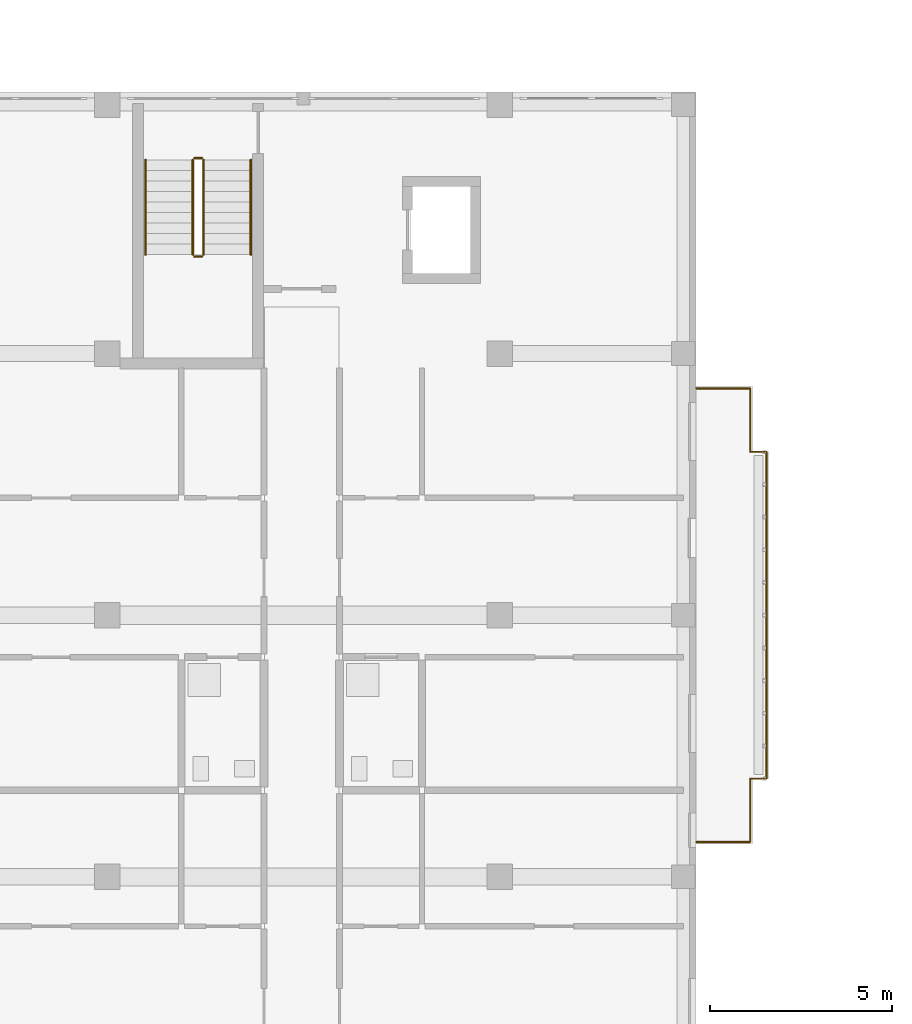
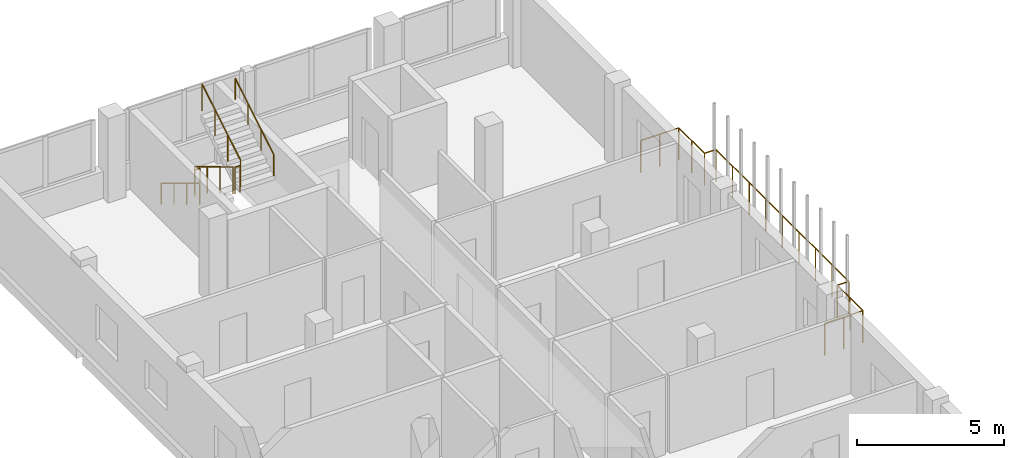
# One storey, part 61 of 73: 7 railings.
"""IFC4 building model written with IfcOpenShell, lengths in metres."""

from ifc_helpers import new_model, si_unit, derived_unit, direction, frame, origin, origin_2d, place, context, subcontext, project, spatial, circle, extrude, material, type_object, element, save


model = new_model("IFC4")

# Units and contexts
model_context = context("Model", 3, precision=1e-05, world=origin(), true_north=direction((0.0, 1.0)))
body_context = subcontext(model_context, "Body", "Model", "MODEL_VIEW")
ifc_project = project(units=[si_unit("LENGTHUNIT", "METRE"), si_unit("AREAUNIT", "SQUARE_METRE"), si_unit("VOLUMEUNIT", "CUBIC_METRE"), si_unit("PLANEANGLEUNIT", "RADIAN"), si_unit("MASSUNIT", "GRAM", prefix="KILO"), derived_unit("THERMALTRANSMITTANCEUNIT", [(si_unit("MASSUNIT", "GRAM", prefix="KILO"), 1), (si_unit("TIMEUNIT", "SECOND"), -3), (si_unit("THERMODYNAMICTEMPERATUREUNIT", "KELVIN"), -1)])], contexts=[model_context])

# Site, building, storey
site_placement = place(None, origin())
site = spatial("IfcSite", under=ifc_project, at=site_placement, CompositionType="ELEMENT")
building_placement = place(site_placement, origin())
building = spatial("IfcBuilding", under=site, at=building_placement, Name="Ochrekiln Boulevard Commons", CompositionType="ELEMENT")
storey_placement = place(building_placement, frame((0.0, 0.0, 8.574951171875)))
storey = spatial("IfcBuildingStorey", under=building, at=storey_placement, Name="L02", CompositionType="ELEMENT", Elevation=8.574951171875)

# Railings
ifc_material_1 = material(Name="Bronze-anodized extruded aluminium 6063-T6", Category="aluminium")
railing_type_1 = type_object("IfcRailingType", Name="RLG-BAL-1350", PredefinedType="BALUSTRADE", material=ifc_material_1)
railing_1_placement = place(storey_placement, frame((21.60009765625, 29.760009765625, 0.0)))
element("IfcRailing", 1, at=railing_1_placement, inside=storey, type_object=railing_type_1, Name="Block D L02 Balcony Guard Balustrade 2", PredefinedType="BALUSTRADE", context=body_context, shape_type="SweptSolid", body=[
    extrude(circle(Radius=0.02392578125, at=origin_2d()), frame((0.0, 0.0, 1.326171875), z_axis=(1.0, 0.0, 0.0), x_axis=(0.0, 1.0, 0.0)), (0.0, 0.0, 1.0), 1.489990234375),
    extrude(circle(Radius=0.02392578125, at=origin_2d()), frame((1.489990234375, 0.0, 1.326171875), z_axis=(0.0, 1.0, 0.0), x_axis=(-1.0, 0.0, 0.0)), (0.0, 0.0, 1.0), 1.739990234375),
    extrude(circle(Radius=0.02392578125, at=origin_2d()), frame((1.489990234375, 1.739990234375, 1.326171875), z_axis=(1.0, 0.0, 0.0), x_axis=(0.0, 1.0, 0.0)), (0.0, 0.0, 1.0), 0.449951171875),
    extrude(circle(Radius=0.02392578125, at=origin_2d()), frame((1.93994140625, 1.739990234375, 1.326171875), z_axis=(0.0, 1.0, 0.0), x_axis=(-1.0, 0.0, 0.0)), (0.0, 0.0, 1.0), 9.0),
    extrude(circle(Radius=0.02392578125, at=origin_2d()), frame((1.93994140625, 10.739990234375, 1.326171875), z_axis=(-1.0, 0.0, 0.0), x_axis=(0.0, -1.0, 0.0)), (0.0, 0.0, 1.0), 0.449951171875),
    extrude(circle(Radius=0.02392578125, at=origin_2d()), frame((1.489990234375, 10.739990234375, 1.326171875), z_axis=(0.0, 1.0, 0.0), x_axis=(-1.0, 0.0, 0.0)), (0.0, 0.0, 1.0), 1.739990234375),
    extrude(circle(Radius=0.02392578125, at=origin_2d()), frame((1.489990234375, 12.47998046875, 1.326171875), z_axis=(-1.0, 0.0, 0.0), x_axis=(0.0, -1.0, 0.0)), (0.0, 0.0, 1.0), 1.489990234375),
    extrude(circle(Radius=0.02099609375, at=origin_2d()), origin(), (0.0, 0.0, 1.0), 1.302001953125),
    extrude(circle(Radius=0.02099609375, at=origin_2d()), frame((0.7451171875, 0.0, 0.0)), (0.0, 0.0, 1.0), 1.302001953125),
    extrude(circle(Radius=0.02099609375, at=origin_2d()), frame((1.489990234375, 0.0, 0.0)), (0.0, 0.0, 1.0), 1.302001953125),
    extrude(circle(Radius=0.02099609375, at=origin_2d()), frame((1.489990234375, 0.8701171875, 0.0)), (0.0, 0.0, 1.0), 1.302001953125),
    extrude(circle(Radius=0.02099609375, at=origin_2d()), frame((1.489990234375, 1.739990234375, 0.0)), (0.0, 0.0, 1.0), 1.302001953125),
    extrude(circle(Radius=0.02099609375, at=origin_2d()), frame((1.93994140625, 1.739990234375, 0.0)), (0.0, 0.0, 1.0), 1.302001953125),
    extrude(circle(Radius=0.02099609375, at=origin_2d()), frame((1.93994140625, 2.864990234375, 0.0)), (0.0, 0.0, 1.0), 1.302001953125),
    extrude(circle(Radius=0.02099609375, at=origin_2d()), frame((1.93994140625, 3.989990234375, 0.0)), (0.0, 0.0, 1.0), 1.302001953125),
    extrude(circle(Radius=0.02099609375, at=origin_2d()), frame((1.93994140625, 5.114990234375, 0.0)), (0.0, 0.0, 1.0), 1.302001953125),
    extrude(circle(Radius=0.02099609375, at=origin_2d()), frame((1.93994140625, 6.239990234375, 0.0)), (0.0, 0.0, 1.0), 1.302001953125),
    extrude(circle(Radius=0.02099609375, at=origin_2d()), frame((1.93994140625, 7.364990234375, 0.0)), (0.0, 0.0, 1.0), 1.302001953125),
    extrude(circle(Radius=0.02099609375, at=origin_2d()), frame((1.93994140625, 8.489990234375, 0.0)), (0.0, 0.0, 1.0), 1.302001953125),
    extrude(circle(Radius=0.02099609375, at=origin_2d()), frame((1.93994140625, 9.614990234375, 0.0)), (0.0, 0.0, 1.0), 1.302001953125),
    extrude(circle(Radius=0.02099609375, at=origin_2d()), frame((1.93994140625, 10.739990234375, 0.0)), (0.0, 0.0, 1.0), 1.302001953125),
    extrude(circle(Radius=0.02099609375, at=origin_2d()), frame((1.489990234375, 10.739990234375, 0.0)), (0.0, 0.0, 1.0), 1.302001953125),
    extrude(circle(Radius=0.02099609375, at=origin_2d()), frame((1.489990234375, 11.60986328125, 0.0)), (0.0, 0.0, 1.0), 1.302001953125),
    extrude(circle(Radius=0.02099609375, at=origin_2d()), frame((1.489990234375, 12.47998046875, 0.0)), (0.0, 0.0, 1.0), 1.302001953125),
    extrude(circle(Radius=0.02099609375, at=origin_2d()), frame((0.7451171875, 12.47998046875, 0.0)), (0.0, 0.0, 1.0), 1.302001953125),
    extrude(circle(Radius=0.02099609375, at=origin_2d()), frame((0.0, 12.47998046875, 0.0)), (0.0, 0.0, 1.0), 1.302001953125),
])
ifc_material_2 = material(Name="Brushed stainless steel 316 tubular railing", Category="steel")
railing_type_2 = type_object("IfcRailingType", Name="RLG-HDR-900", PredefinedType="HANDRAIL", material=ifc_material_2)
railing_2_placement = place(storey_placement, frame((6.449951171875, 48.530029296875, 0.175048828125)))
element("IfcRailing", 2, at=railing_2_placement, inside=storey, type_object=railing_type_2, Name="L02 ST-D2 stair handrail 1", PredefinedType="HANDRAIL", context=body_context, shape_type="SweptSolid", body=[
    extrude(circle(Radius=0.02392578125, at=origin_2d()), frame((0.0, 0.0, 0.8759765625), z_axis=(0.0, -0.856204152608, 0.516637638057), x_axis=(1.0, 0.0, 0.0)), (0.0, 0.0, 1.0), 3.048583984375),
    extrude(circle(Radius=0.02099609375, at=origin_2d()), origin(), (0.0, 0.0, 1.0), 0.851806640625),
    extrude(circle(Radius=0.02099609375, at=origin_2d()), frame((0.0, -0.8701171875, 0.52490234375)), (0.0, 0.0, 1.0), 0.851806640625),
    extrude(circle(Radius=0.02099609375, at=origin_2d()), frame((0.0, -1.739990234375, 1.050048828125)), (0.0, 0.0, 1.0), 0.851806640625),
    extrude(circle(Radius=0.02099609375, at=origin_2d()), frame((0.0, -2.610107421875, 1.574951171875)), (0.0, 0.0, 1.0), 0.851806640625),
])
railing_3_placement = place(storey_placement, frame((9.35009765625, 45.919921875, 1.925048828125)))
element("IfcRailing", 3, at=railing_3_placement, inside=storey, type_object=railing_type_2, Name="L02 ST-D2 stair handrail 2", PredefinedType="HANDRAIL", context=body_context, shape_type="SweptSolid", body=[
    extrude(circle(Radius=0.02392578125, at=origin_2d()), frame((0.0, 0.0, 0.8759765625), z_axis=(0.0, 0.856204152608, 0.516637638057), x_axis=(-1.0, 0.0, 0.0)), (0.0, 0.0, 1.0), 3.048583984375),
    extrude(circle(Radius=0.02099609375, at=origin_2d()), origin(), (0.0, 0.0, 1.0), 0.851806640625),
    extrude(circle(Radius=0.02099609375, at=origin_2d()), frame((0.0, 0.8701171875, 0.52490234375)), (0.0, 0.0, 1.0), 0.851806640625),
    extrude(circle(Radius=0.02099609375, at=origin_2d()), frame((0.0, 1.739990234375, 1.050048828125)), (0.0, 0.0, 1.0), 0.851806640625),
    extrude(circle(Radius=0.02099609375, at=origin_2d()), frame((0.0, 2.610107421875, 1.574951171875)), (0.0, 0.0, 1.0), 0.851806640625),
])
railing_type_3 = type_object("IfcRailingType", Name="RLG-STR-1120", PredefinedType="BALUSTRADE", material=ifc_material_2)
railing_4_placement = place(storey_placement, frame((7.75, 48.530029296875, 0.175048828125)))
element("IfcRailing", 4, at=railing_4_placement, inside=storey, type_object=railing_type_3, Name="L02 ST-D2 stair guard 1", PredefinedType="BALUSTRADE", context=body_context, shape_type="SweptSolid", body=[
    extrude(circle(Radius=0.02392578125, at=origin_2d()), frame((0.0, 0.0, 1.09619140625), z_axis=(0.0, -0.856204152608, 0.516637638057), x_axis=(1.0, 0.0, 0.0)), (0.0, 0.0, 1.0), 3.048583984375),
    extrude(circle(Radius=0.02099609375, at=origin_2d()), origin(), (0.0, 0.0, 1.0), 1.072021484375),
    extrude(circle(Radius=0.02099609375, at=origin_2d()), frame((0.0, -0.8701171875, 0.52490234375)), (0.0, 0.0, 1.0), 1.072021484375),
    extrude(circle(Radius=0.02099609375, at=origin_2d()), frame((0.0, -1.739990234375, 1.050048828125)), (0.0, 0.0, 1.0), 1.072021484375),
    extrude(circle(Radius=0.02099609375, at=origin_2d()), frame((0.0, -2.610107421875, 1.574951171875)), (0.0, 0.0, 1.0), 1.072021484375),
])
railing_5_placement = place(storey_placement, frame((7.800048828125, 45.8701171875, 1.75)))
element("IfcRailing", 5, at=railing_5_placement, inside=storey, type_object=railing_type_3, Name="L02 ST-D2 stair guard 2", PredefinedType="BALUSTRADE", context=body_context, shape_type="SweptSolid", body=[
    extrude(circle(Radius=0.02392578125, at=origin_2d()), frame((0.0, 0.0, 1.09619140625), z_axis=(1.0, 0.0, 0.0), x_axis=(0.0, 1.0, 0.0)), (0.0, 0.0, 1.0), 0.199951171875),
    extrude(circle(Radius=0.02099609375, at=origin_2d()), origin(), (0.0, 0.0, 1.0), 1.072021484375),
    extrude(circle(Radius=0.02099609375, at=origin_2d()), frame((0.199951171875, 0.0, 0.0)), (0.0, 0.0, 1.0), 1.072021484375),
])
railing_6_placement = place(storey_placement, frame((8.050048828125, 45.919921875, 1.925048828125)))
element("IfcRailing", 6, at=railing_6_placement, inside=storey, type_object=railing_type_3, Name="L02 ST-D2 stair guard 3", PredefinedType="BALUSTRADE", context=body_context, shape_type="SweptSolid", body=[
    extrude(circle(Radius=0.02392578125, at=origin_2d()), frame((0.0, 0.0, 1.09619140625), z_axis=(0.0, 0.856204152608, 0.516637638057), x_axis=(-1.0, 0.0, 0.0)), (0.0, 0.0, 1.0), 3.048583984375),
    extrude(circle(Radius=0.02099609375, at=origin_2d()), origin(), (0.0, 0.0, 1.0), 1.072021484375),
    extrude(circle(Radius=0.02099609375, at=origin_2d()), frame((0.0, 0.8701171875, 0.52490234375)), (0.0, 0.0, 1.0), 1.072021484375),
    extrude(circle(Radius=0.02099609375, at=origin_2d()), frame((0.0, 1.739990234375, 1.050048828125)), (0.0, 0.0, 1.0), 1.072021484375),
    extrude(circle(Radius=0.02099609375, at=origin_2d()), frame((0.0, 2.610107421875, 1.574951171875)), (0.0, 0.0, 1.0), 1.072021484375),
])
railing_7_placement = place(storey_placement, frame((7.800048828125, 48.580078125, 0.0)))
element("IfcRailing", 7, at=railing_7_placement, inside=storey, type_object=railing_type_3, Name="L02 ST-D2 stair guard 4", PredefinedType="BALUSTRADE", context=body_context, shape_type="SweptSolid", body=[
    extrude(circle(Radius=0.02392578125, at=origin_2d()), frame((0.0, 0.0, 1.09619140625), z_axis=(1.0, 0.0, 0.0), x_axis=(0.0, 1.0, 0.0)), (0.0, 0.0, 1.0), 0.199951171875),
    extrude(circle(Radius=0.02099609375, at=origin_2d()), origin(), (0.0, 0.0, 1.0), 1.072021484375),
    extrude(circle(Radius=0.02099609375, at=origin_2d()), frame((0.199951171875, 0.0, 0.0)), (0.0, 0.0, 1.0), 1.072021484375),
])

save(model, "model.ifc")
